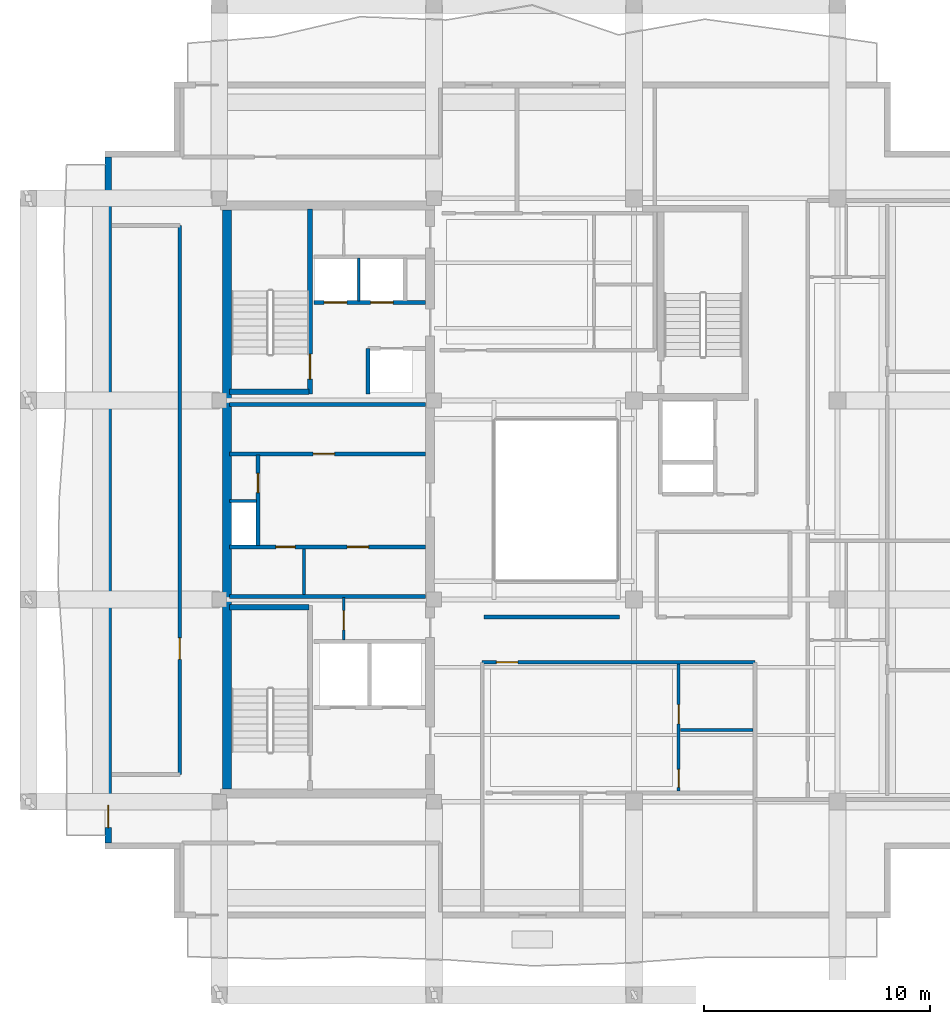
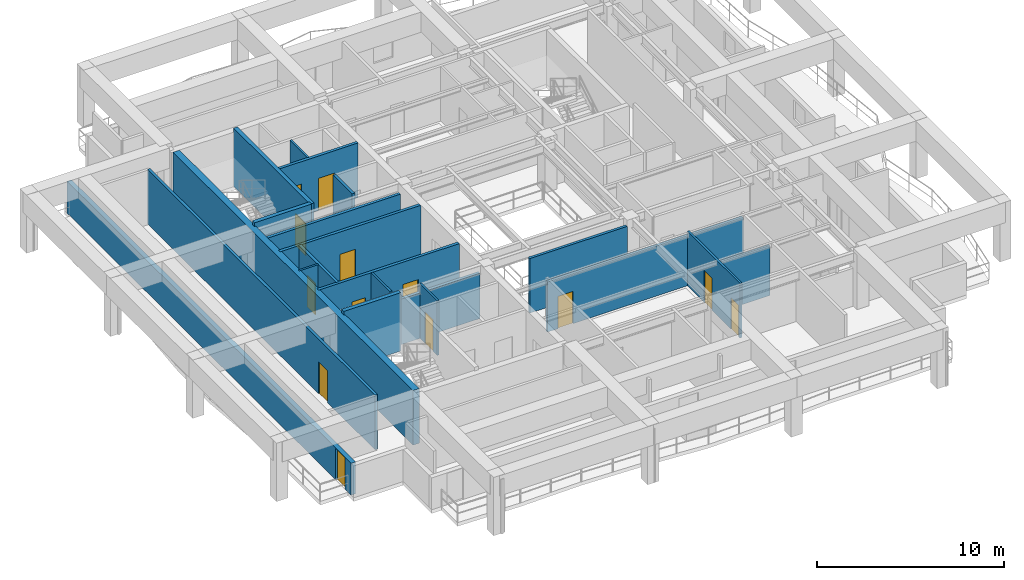
# One storey, part 3 of 10: 21 walls, 13 doors, 13 openings.
"""IFC4 building model written with IfcOpenShell, lengths in metres."""

import ifcopenshell
import ifcopenshell.guid

model = None  # the IFC model being written
_history = None  # IfcOwnerHistory: only IFC2X3 demands one
_inside = {}  # id of a spatial element -> (the spatial element, [elements in it])
_under = {}  # id of a project, library or spatial element -> (it, [spatial elements below it])
_declared = {}  # id of a project -> (the project, [libraries it declares])
_typed = {}  # id of a type object -> (the type object, [elements of that type])
_made_of = {}  # id of a material, layer set ... -> (it, [elements and type objects made of it])


def new_model(schema):
    """Start an empty IFC model of exactly this schema.

    Asked for "IFC4X3", IfcOpenShell would pick the latest addendum, in which some entities
    have other attributes; the version numbers below select the first issue.
    IFC2X3 requires an IfcOwnerHistory on every rooted entity: one is made here for all.
    """
    global model, _history
    if schema == "IFC4X3":
        model = ifcopenshell.file(schema_version=(4, 3, 0, 0))
    else:
        model = ifcopenshell.file(schema=schema)
    _inside.clear()
    _under.clear()
    _declared.clear()
    _typed.clear()
    _made_of.clear()
    _history = None
    if model.schema == "IFC2X3":
        org = make("IfcOrganization", Name="unknown")
        user = make(
            "IfcPersonAndOrganization",
            ThePerson=make("IfcPerson", FamilyName="unknown"),
            TheOrganization=org,
        )
        app = make(
            "IfcApplication",
            ApplicationDeveloper=org,
            Version="unknown",
            ApplicationFullName="unknown",
            ApplicationIdentifier="unknown",
        )
        _history = make(
            "IfcOwnerHistory",
            OwningUser=user,
            OwningApplication=app,
            ChangeAction="ADDED",
            CreationDate=0,
        )
    return model


def make(cls, **values):
    """One entity of the class cls with the attributes given. An attribute that is None is left unset."""
    return model.create_entity(
        cls, **{name: value for name, value in values.items() if value is not None}
    )


def rooted(cls, **values):
    """An entity with a GlobalId (a new one), such as an element, a storey or a relation."""
    return make(cls, GlobalId=ifcopenshell.guid.new(), OwnerHistory=_history, **values)


def si_unit(unit_type, name, prefix=None):
    """IfcSIUnit, for example si_unit("LENGTHUNIT", "METRE", prefix="MILLI")."""
    return make("IfcSIUnit", UnitType=unit_type, Prefix=prefix, Name=name)


def assignment(units):
    """IfcUnitAssignment: the units of a project."""
    return None if units is None else make("IfcUnitAssignment", Units=units)


def point(xyz):
    """IfcCartesianPoint."""
    return None if xyz is None else make("IfcCartesianPoint", Coordinates=xyz)


def direction(xyz):
    """IfcDirection."""
    return None if xyz is None else make("IfcDirection", DirectionRatios=xyz)


def frame(location, z_axis=None, x_axis=None):
    """IfcAxis2Placement3D, a coordinate frame: its origin and axes. An axis left out is left unset."""
    return make(
        "IfcAxis2Placement3D",
        Location=point(location),
        Axis=direction(z_axis),
        RefDirection=direction(x_axis),
    )


def frame_2d(location, x_axis=None):
    """IfcAxis2Placement2D, a coordinate frame in the plane: its origin and x axis."""
    return make(
        "IfcAxis2Placement2D", Location=point(location), RefDirection=direction(x_axis)
    )


def origin():
    """The frame at (0, 0, 0) with its axes left unset."""
    return frame((0.0, 0.0, 0.0))


def place(relative_to, where):
    """IfcLocalPlacement: puts the frame where relative to a parent placement (None: the world)."""
    return make(
        "IfcLocalPlacement", PlacementRelTo=relative_to, RelativePlacement=where
    )


def context(
    kind, dimensions, precision=None, world=None, true_north=None, identifier=None
):
    """IfcGeometricRepresentationContext, for example the 3D "Model" context."""
    return make(
        "IfcGeometricRepresentationContext",
        ContextIdentifier=identifier,
        ContextType=kind,
        CoordinateSpaceDimension=dimensions,
        Precision=precision,
        WorldCoordinateSystem=world,
        TrueNorth=true_north,
    )


def subcontext(parent, identifier, kind, view, scale=None):
    """IfcGeometricRepresentationSubContext, for example "Body" below "Model"."""
    return make(
        "IfcGeometricRepresentationSubContext",
        ContextIdentifier=identifier,
        ContextType=kind,
        ParentContext=parent,
        TargetScale=scale,
        TargetView=view,
    )


def project(units=None, contexts=None):
    """IfcProject with its units and contexts."""
    return rooted(
        "IfcProject",
        Name="project",
        RepresentationContexts=contexts,
        UnitsInContext=assignment(units),
    )


def spatial(cls, under=None, at=None, **own):
    """A site, building, storey or space (cls), placed at a placement, below another one or the project."""
    s = rooted(cls, ObjectPlacement=at, **own)
    if under is not None:
        _under.setdefault(under.id(), (under, []))[1].append(s)
    return s


def profile(cls, at=None, kind="AREA", **sizes):
    """A parametric profile (cls). Its sizes go by their IFC names, for example OverallWidth=200.0."""
    return make(cls, ProfileType=kind, Position=at, **sizes)


def rectangle(**sizes):
    """IfcRectangleProfileDef."""
    return profile("IfcRectangleProfileDef", **sizes)


def extrude(swept, where, along, depth):
    """IfcExtrudedAreaSolid: the profile swept, set in the frame where, extruded along a direction by depth."""
    return make(
        "IfcExtrudedAreaSolid",
        SweptArea=swept,
        Position=where,
        ExtrudedDirection=direction(along),
        Depth=depth,
    )


def shape(context_of_items, identifier, shape_type, items):
    """IfcShapeRepresentation: the items that make up one representation, for example the "Body"."""
    return make(
        "IfcShapeRepresentation",
        ContextOfItems=context_of_items,
        RepresentationIdentifier=identifier,
        RepresentationType=shape_type,
        Items=items,
    )


def material(Name=None, Category=None):
    """IfcMaterial."""
    return make("IfcMaterial", Name=Name, Category=Category)


def layer(
    of_material, thickness, ventilated=None, Name=None, Category=None, Priority=None
):
    """IfcMaterialLayer: one layer of a wall or slab, of a material (None: an air gap)."""
    return make(
        "IfcMaterialLayer",
        Material=of_material,
        LayerThickness=thickness,
        IsVentilated=ventilated,
        Name=Name,
        Category=Category,
        Priority=Priority,
    )


def layer_set(layers, Name=None):
    """IfcMaterialLayerSet."""
    return make("IfcMaterialLayerSet", MaterialLayers=layers, LayerSetName=Name)


def made_of(thing, what):
    """Note that an element or type object is made of a material, layer set ...; save() writes the relation."""
    if what is not None:
        _made_of.setdefault(what.id(), (what, []))[1].append(thing)
    return thing


def type_object(cls, material=None, **own):
    """A type object (cls), such as IfcWallType, which elements share."""
    return made_of(rooted(cls, **own), material)


def element(
    cls,
    number,
    at=None,
    inside=None,
    cuts=None,
    type_object=None,
    material=None,
    context=None,
    identifier="Body",
    shape_type=None,
    held_by="IfcProductDefinitionShape",
    body=None,
    shapes=None,
    **own,
):
    """One element of the class cls, such as IfcWall. Its Tag is "e" and its number.

    at: its placement. inside: the storey or other place that contains it. cuts: it is an
    opening in that element (IfcRelVoidsElement). A single representation is given by context,
    identifier, shape_type and body (its items); several are given by shapes. held_by: the class
    of the entity that holds the representations. save() writes the other relations.
    """
    e = rooted(cls, Tag="e%d" % number, ObjectPlacement=at, **own)
    if body is not None:
        shapes = [shape(context, identifier, shape_type, body)]
    if shapes is not None:
        e.Representation = make(held_by, Representations=shapes)
    if inside is not None:
        _inside.setdefault(inside.id(), (inside, []))[1].append(e)
    if cuts is not None:
        rooted(
            "IfcRelVoidsElement", RelatingBuildingElement=cuts, RelatedOpeningElement=e
        )
    if type_object is not None:
        _typed.setdefault(type_object.id(), (type_object, []))[1].append(e)
    return made_of(e, material)


def fill(opening, filler):
    """IfcRelFillsElement: the door or window that sits in an opening."""
    return rooted(
        "IfcRelFillsElement",
        RelatingOpeningElement=opening,
        RelatedBuildingElement=filler,
    )


def aggregate(whole, parts):
    """IfcRelAggregates: a whole, such as a stair, and the parts it consists of."""
    return rooted("IfcRelAggregates", RelatingObject=whole, RelatedObjects=parts)


def save(model, path):
    """Write the relations noted so far, then the file.

    IfcRelAggregates (storeys below a building ...), IfcRelContainedInSpatialStructure (elements
    in a storey), IfcRelDefinesByType, IfcRelAssociatesMaterial and IfcRelDeclares: one each for
    every whole, place, type object, material and project.
    """
    for whole, parts in _under.values():
        aggregate(whole, parts)
    for where, things in _inside.values():
        rooted(
            "IfcRelContainedInSpatialStructure",
            RelatedElements=things,
            RelatingStructure=where,
        )
    for kind, things in _typed.values():
        rooted("IfcRelDefinesByType", RelatedObjects=things, RelatingType=kind)
    for what, things in _made_of.values():
        rooted("IfcRelAssociatesMaterial", RelatedObjects=things, RelatingMaterial=what)
    for by, libraries in _declared.values():
        rooted("IfcRelDeclares", RelatingContext=by, RelatedDefinitions=libraries)
    model.write(path)


model = new_model("IFC4")

# Units and contexts
model_context = context("Model", 3, precision=1e-05, world=origin(), true_north=direction((0.0, 1.0)))
body_context = subcontext(model_context, "Body", "Model", "MODEL_VIEW")
ifc_project = project(units=[si_unit("LENGTHUNIT", "METRE"), si_unit("AREAUNIT", "SQUARE_METRE"), si_unit("VOLUMEUNIT", "CUBIC_METRE"), si_unit("PLANEANGLEUNIT", "RADIAN"), si_unit("MASSUNIT", "GRAM", prefix="KILO")], contexts=[model_context])

# Site, building, storey
site_placement = place(None, origin())
site = spatial("IfcSite", under=ifc_project, at=site_placement, CompositionType="ELEMENT")
building_placement = place(site_placement, origin())
building = spatial("IfcBuilding", under=site, at=building_placement, Name="Kundavana Baori Tower", CompositionType="ELEMENT")
storey_placement = place(building_placement, frame((0.0, 0.0, 323.89990234375)))
storey = spatial("IfcBuildingStorey", under=building, at=storey_placement, Name="L80", CompositionType="ELEMENT", Elevation=323.89990234375)

# Walls
ifc_material_1 = material(Name="Concrete C50/60", Category="concrete")
ifc_layer_1 = layer(ifc_material_1, 0.39990234375, Name="WL-CORE-400")
ifc_layer_set_1 = layer_set([ifc_layer_1], Name="Concrete C50/60")
wall_type_1 = type_object("IfcWallType", Name="WL-CORE-400", PredefinedType="SHEAR", material=ifc_layer_set_1)
wall_1_placement = place(storey_placement, frame((15.7900390625, 15.81005859375, 0.0), z_axis=(0.0, 0.0, 1.0), x_axis=(0.0, 1.0, 0.0)))
element("IfcWall", 1, at=wall_1_placement, inside=storey, type_object=wall_type_1, Name="L80 Offset Core West Shear Wall", PredefinedType="SHEAR", context=body_context, shape_type="SweptSolid", body=[
    extrude(rectangle(XDim=25.6298828125, YDim=0.39990234375, at=frame_2d((12.81494140625, 0.0))), origin(), (0.0, 0.0, 1.0), 3.56005859375),
])
wall_2_placement = place(storey_placement, frame((15.89990234375, 23.860107421875, 0.0), z_axis=(0.0, 0.0, 1.0), x_axis=(1.0, 0.0, 0.0)))
element("IfcWall", 2, at=wall_2_placement, inside=storey, type_object=wall_type_1, Name="WL-L80-ST1-N", PredefinedType="SHEAR", context=body_context, shape_type="SweptSolid", body=[
    extrude(rectangle(XDim=3.52001953125, YDim=0.239990234375, at=frame_2d((1.760009765625, 0.0))), origin(), (0.0, 0.0, 1.0), 3.800048828125),
])

# Wall, opening, door
wall_3_placement = place(storey_placement, frame((19.4599609375, 33.300048828125, 0.0), z_axis=(0.0, 0.0, 1.0), x_axis=(0.0, 1.0, 0.0)))
wall_3 = element("IfcWall", 3, at=wall_3_placement, inside=storey, type_object=wall_type_1, Name="WL-L80-ST2-E", PredefinedType="SHEAR", context=body_context, shape_type="SweptSolid", body=[
    extrude(rectangle(XDim=8.179931640625, YDim=0.239990234375, at=frame_2d((4.08984375, 0.0))), origin(), (0.0, 0.0, 1.0), 3.800048828125),
])
opening_1_placement = place(wall_3_placement, frame((0.64990234375, 0.0, 0.0)))
opening_1 = element("IfcOpeningElement", 4, at=opening_1_placement, cuts=wall_3, Name="Opening FD-110", PredefinedType="OPENING", context=body_context, shape_type="SweptSolid", body=[
    extrude(rectangle(XDim=1.10009765625, YDim=2.10009765625, at=frame_2d((0.550048828125, 1.050048828125))), frame((0.0, 0.1298828125, 0.0), z_axis=(0.0, -1.0, 0.0), x_axis=(1.0, 0.0, 0.0)), (0.0, 0.0, 1.0), 0.260009765625),
])
ifc_material_2 = material(Name="Galvanised Steel Fire-Rated Door Leaf", Category="steel")
door_type_1 = type_object("IfcDoorType", Name="DR-FD120-1100", OperationType="NOTDEFINED", PredefinedType="DOOR", material=ifc_material_2)
door_1_placement = place(opening_1_placement, origin())
door_1 = element("IfcDoor", 5, at=door_1_placement, inside=storey, type_object=door_type_1, Name="DR-L80-ST2", OperationType="SINGLE_SWING_RIGHT", OverallHeight=2.10009765625, OverallWidth=1.10009765625, PredefinedType="DOOR", context=body_context, shape_type="SweptSolid", body=[
    extrude(rectangle(XDim=1.10009765625, YDim=2.10009765625, at=frame_2d((0.550048828125, 1.050048828125))), frame((0.0, 0.02490234375, 0.0), z_axis=(0.0, -1.0, 0.0), x_axis=(1.0, 0.0, 0.0)), (0.0, 0.0, 1.0), 0.050048828125),
])
fill(opening_1, door_1)

# Wall
wall_4_placement = place(storey_placement, frame((15.89990234375, 33.389892578125, 0.0), z_axis=(0.0, 0.0, 1.0), x_axis=(1.0, 0.0, 0.0)))
element("IfcWall", 6, at=wall_4_placement, inside=storey, type_object=wall_type_1, Name="WL-L80-ST2-S", PredefinedType="SHEAR", context=body_context, shape_type="SweptSolid", body=[
    extrude(rectangle(XDim=3.52001953125, YDim=0.239990234375, at=frame_2d((1.760009765625, 0.0))), origin(), (0.0, 0.0, 1.0), 3.800048828125),
])

# Wall, opening, door
ifc_material_3 = material(Name="Red-Buff Dholpur Sandstone Cladding on Concrete C40/50", Category="masonry")
ifc_layer_2 = layer(ifc_material_3, 0.280029296875, Name="WL-EXT-SAND-280")
ifc_layer_set_2 = layer_set([ifc_layer_2], Name="Red-Buff Dholpur Sandstone Cladding on Concrete C40/50")
wall_type_2 = type_object("IfcWallType", Name="WL-EXT-SAND-280", PredefinedType="STANDARD", material=ifc_layer_set_2)
wall_5_placement = place(storey_placement, frame((10.5400390625, 43.77001953125, 0.0), z_axis=(0.0, 0.0, 1.0), x_axis=(0.0, -1.0, 0.0)))
wall_5 = element("IfcWall", 7, at=wall_5_placement, inside=storey, type_object=wall_type_2, Name="L80 Exterior Insulated Facade Wall 10", PredefinedType="STANDARD", context=body_context, shape_type="SweptSolid", body=[
    extrude(rectangle(XDim=30.340087890625, YDim=0.280029296875, at=frame_2d((15.169921875, 0.0))), origin(), (0.0, 0.0, 1.0), 2.080078125),
])
opening_2_placement = place(wall_5_placement, frame((28.669921875, 0.0, 0.0)))
opening_2 = element("IfcOpeningElement", 8, at=opening_2_placement, cuts=wall_5, Name="Opening BD-1", PredefinedType="OPENING", context=body_context, shape_type="SweptSolid", body=[
    extrude(rectangle(XDim=1.0, YDim=2.050048828125, at=frame_2d((0.5, 1.02490234375))), frame((0.0, 0.14990234375, 0.0), z_axis=(0.0, -1.0, 0.0), x_axis=(1.0, 0.0, 0.0)), (0.0, 0.0, 1.0), 0.300048828125),
])
ifc_material_4 = material(Name="Architectural Patinated Bronze Metalwork")
door_type_2 = type_object("IfcDoorType", Name="DR-EXT-LOG-1000", OperationType="NOTDEFINED", PredefinedType="DOOR", material=ifc_material_4)
door_2_placement = place(opening_2_placement, frame((1.0, 0.0, 0.0), z_axis=(0.0, 0.0, 1.0), x_axis=(-1.0, 0.0, 0.0)))
door_2 = element("IfcDoor", 9, at=door_2_placement, inside=storey, type_object=door_type_2, Name="L80 Loggia Balcony Access Door W", OperationType="SINGLE_SWING_RIGHT", OverallHeight=2.050048828125, OverallWidth=1.0, PredefinedType="DOOR", context=body_context, shape_type="SweptSolid", body=[
    extrude(rectangle(XDim=1.0, YDim=2.050048828125, at=frame_2d((0.5, 1.02490234375))), frame((0.0, 0.02490234375, 0.0), z_axis=(0.0, -1.0, 0.0), x_axis=(1.0, 0.0, 0.0)), (0.0, 0.0, 1.0), 0.050048828125),
])
fill(opening_2, door_2)

ifc_material_5 = material(Name="Acoustic Gypsum Plasterboard on Galvanised Steel Studs", Category="steel")
ifc_layer_3 = layer(ifc_material_5, 0.1201171875, Name="WL-PART-120")
ifc_layer_set_3 = layer_set([ifc_layer_3], Name="Acoustic Gypsum Plasterboard on Galvanised Steel Studs")
wall_type_3 = type_object("IfcWallType", Name="WL-PART-120", PredefinedType="PARTITIONING", material=ifc_layer_set_3)
wall_6_placement = place(storey_placement, frame((20.949951171875, 22.39990234375, 0.0), z_axis=(0.0, 0.0, 1.0), x_axis=(0.0, 1.0, 0.0)))
wall_6 = element("IfcWall", 10, at=wall_6_placement, inside=storey, type_object=wall_type_3, Name="WL-L80-CSMK-D2", PredefinedType="PARTITIONING", context=body_context, shape_type="SweptSolid", body=[
    extrude(rectangle(XDim=1.880126953125, YDim=0.1201171875, at=frame_2d((0.93994140625, 0.0))), origin(), (0.0, 0.0, 1.0), 3.56005859375),
])
opening_3_placement = place(wall_6_placement, frame((0.449951171875, 0.0, 0.0)))
opening_3 = element("IfcOpeningElement", 11, at=opening_3_placement, cuts=wall_6, Name="Opening FD-085", PredefinedType="OPENING", context=body_context, shape_type="SweptSolid", body=[
    extrude(rectangle(XDim=0.85009765625, YDim=2.06005859375, at=frame_2d((0.425048828125, 1.030029296875))), frame((0.0, 0.070068359375, 0.0), z_axis=(0.0, -1.0, 0.0), x_axis=(1.0, 0.0, 0.0)), (0.0, 0.0, 1.0), 0.14013671875),
])
ifc_material_6 = material(Name="Galvanised Steel Fire-Rated Door Leaf", Category="steel")
door_type_3 = type_object("IfcDoorType", Name="DR-FD60-850", OperationType="NOTDEFINED", PredefinedType="DOOR", material=ifc_material_6)
door_3_placement = place(opening_3_placement, origin())
door_3 = element("IfcDoor", 12, at=door_3_placement, inside=storey, type_object=door_type_3, Name="DR-L80-CSMK1", OperationType="SINGLE_SWING_RIGHT", OverallHeight=2.06005859375, OverallWidth=0.85009765625, PredefinedType="DOOR", context=body_context, shape_type="SweptSolid", body=[
    extrude(rectangle(XDim=0.85009765625, YDim=2.06005859375, at=frame_2d((0.425048828125, 1.030029296875))), frame((0.0, 0.02490234375, 0.0), z_axis=(0.0, -1.0, 0.0), x_axis=(1.0, 0.0, 0.0)), (0.0, 0.0, 1.0), 0.050048828125),
])
fill(opening_3, door_3)

# Walls
wall_7_placement = place(storey_placement, frame((19.199951171875, 24.419921875, 0.0), z_axis=(0.0, 0.0, 1.0), x_axis=(0.0, 1.0, 0.0)))
element("IfcWall", 13, at=wall_7_placement, inside=storey, type_object=wall_type_3, Name="WL-L80-FRLOW-DIV", PredefinedType="PARTITIONING", context=body_context, shape_type="SweptSolid", body=[
    extrude(rectangle(XDim=2.02001953125, YDim=0.1201171875, at=frame_2d((1.010009765625, 0.0))), origin(), (0.0, 0.0, 1.0), 3.56005859375),
])
wall_8_placement = place(storey_placement, frame((15.89990234375, 28.56005859375, 0.0), z_axis=(0.0, 0.0, 1.0), x_axis=(1.0, 0.0, 0.0)))
element("IfcWall", 14, at=wall_8_placement, inside=storey, type_object=wall_type_3, Name="WL-L80-RSRW-N", PredefinedType="PARTITIONING", context=body_context, shape_type="SweptSolid", body=[
    extrude(rectangle(XDim=1.2001953125, YDim=0.1201171875, at=frame_2d((0.60009765625, 0.0))), origin(), (0.0, 0.0, 1.0), 3.56005859375),
])
wall_9_placement = place(storey_placement, frame((21.6201171875, 37.39990234375, 0.0), z_axis=(0.0, 0.0, 1.0), x_axis=(0.0, 1.0, 0.0)))
element("IfcWall", 15, at=wall_9_placement, inside=storey, type_object=wall_type_3, Name="WL-L80-HR-DIV1", PredefinedType="PARTITIONING", context=body_context, shape_type="SweptSolid", body=[
    extrude(rectangle(XDim=1.900146484375, YDim=0.1201171875, at=frame_2d((0.9501953125, 0.0))), origin(), (0.0, 0.0, 1.0), 3.56005859375),
])

# Wall, opening, door
ifc_material_7 = material(Name="Fire-Rated Gypsum Drywall on Galvanised Steel Studs", Category="steel")
ifc_layer_4 = layer(ifc_material_7, 0.1650390625, Name="WL-PART-165")
ifc_layer_set_4 = layer_set([ifc_layer_4], Name="Fire-Rated Gypsum Drywall on Galvanised Steel Studs")
wall_type_4 = type_object("IfcWallType", Name="WL-PART-165", PredefinedType="PARTITIONING", material=ifc_layer_set_4)
wall_10_placement = place(storey_placement, frame((27.080078125, 21.419921875, 0.0), z_axis=(0.0, 0.0, 1.0), x_axis=(1.0, 0.0, 0.0)))
wall_10 = element("IfcWall", 16, at=wall_10_placement, inside=storey, type_object=wall_type_4, Name="WL-L80-RS", PredefinedType="PARTITIONING", context=body_context, shape_type="SweptSolid", body=[
    extrude(rectangle(XDim=12.06982421875, YDim=0.1650390625, at=frame_2d((6.034912109375, 0.0))), origin(), (0.0, 0.0, 1.0), 3.260009765625),
])
opening_4_placement = place(wall_10_placement, frame((0.6298828125, 0.0, 0.0)))
opening_4 = element("IfcOpeningElement", 17, at=opening_4_placement, cuts=wall_10, Name="Opening FD-095", PredefinedType="OPENING", context=body_context, shape_type="SweptSolid", body=[
    extrude(rectangle(XDim=0.949951171875, YDim=2.10009765625, at=frame_2d((0.47509765625, 1.050048828125))), frame((0.0, 0.092529296875, 0.0), z_axis=(0.0, -1.0, 0.0), x_axis=(1.0, 0.0, 0.0)), (0.0, 0.0, 1.0), 0.18505859375),
])
ifc_material_8 = material(Name="Engineered Teak Fire-Rated Timber Door Leaf", Category="wood")
door_type_4 = type_object("IfcDoorType", Name="DR-FD60-950", OperationType="NOTDEFINED", PredefinedType="DOOR", material=ifc_material_8)
door_4_placement = place(opening_4_placement, frame((0.949951171875, 0.0, 0.0), z_axis=(0.0, 0.0, 1.0), x_axis=(-1.0, 0.0, 0.0)))
door_4 = element("IfcDoor", 18, at=door_4_placement, inside=storey, type_object=door_type_4, Name="DR-L80-S1-ENT", OperationType="SINGLE_SWING_RIGHT", OverallHeight=2.10009765625, OverallWidth=0.949951171875, PredefinedType="DOOR", context=body_context, shape_type="SweptSolid", body=[
    extrude(rectangle(XDim=0.949951171875, YDim=2.10009765625, at=frame_2d((0.47509765625, 1.050048828125))), frame((0.0, 0.02490234375, 0.0), z_axis=(0.0, -1.0, 0.0), x_axis=(1.0, 0.0, 0.0)), (0.0, 0.0, 1.0), 0.050048828125),
])
fill(opening_4, door_4)

# Wall
wall_11_placement = place(storey_placement, frame((27.14990234375, 23.419921875, 0.0), z_axis=(0.0, 0.0, 1.0), x_axis=(1.0, 0.0, 0.0)))
element("IfcWall", 19, at=wall_11_placement, inside=storey, type_object=wall_type_4, Name="WL-L80-RST", PredefinedType="PARTITIONING", context=body_context, shape_type="SweptSolid", body=[
    extrude(rectangle(XDim=6.0, YDim=0.1650390625, at=frame_2d((3.0, 0.0))), origin(), (0.0, 0.0, 1.0), 3.56005859375),
])

# Wall, opening, door
wall_12_placement = place(storey_placement, frame((13.699951171875, 16.449951171875, 0.0), z_axis=(0.0, 0.0, 1.0), x_axis=(0.0, 1.0, 0.0)))
wall_12 = element("IfcWall", 20, at=wall_12_placement, inside=storey, type_object=wall_type_4, Name="WL-L80-RW", PredefinedType="PARTITIONING", context=body_context, shape_type="SweptSolid", body=[
    extrude(rectangle(XDim=24.300048828125, YDim=0.1650390625, at=frame_2d((12.14990234375, 0.0))), origin(), (0.0, 0.0, 1.0), 3.56005859375),
])
opening_5_placement = place(wall_12_placement, frame((5.10009765625, 0.0, 0.0)))
opening_5 = element("IfcOpeningElement", 21, at=opening_5_placement, cuts=wall_12, Name="Opening ID-095", PredefinedType="OPENING", context=body_context, shape_type="SweptSolid", body=[
    extrude(rectangle(XDim=0.949951171875, YDim=2.080078125, at=frame_2d((0.47509765625, 1.0400390625))), frame((0.0, 0.092529296875, 0.0), z_axis=(0.0, -1.0, 0.0), x_axis=(1.0, 0.0, 0.0)), (0.0, 0.0, 1.0), 0.18505859375),
])
ifc_material_9 = material(Name="Engineered Teak Solid-Core Timber Veneer", Category="wood")
door_type_5 = type_object("IfcDoorType", Name="DR-INT-950", OperationType="NOTDEFINED", PredefinedType="DOOR", material=ifc_material_9)
door_5_placement = place(opening_5_placement, origin())
door_5 = element("IfcDoor", 22, at=door_5_placement, inside=storey, type_object=door_type_5, Name="DR-L80-RLNGW", OperationType="SINGLE_SWING_LEFT", OverallHeight=2.080078125, OverallWidth=0.949951171875, PredefinedType="DOOR", context=body_context, shape_type="SweptSolid", body=[
    extrude(rectangle(XDim=0.949951171875, YDim=2.080078125, at=frame_2d((0.47509765625, 1.0400390625))), frame((0.0, 0.02490234375, 0.0), z_axis=(0.0, -1.0, 0.0), x_axis=(1.0, 0.0, 0.0)), (0.0, 0.0, 1.0), 0.050048828125),
])
fill(opening_5, door_5)

# Wall, openings, doors
ifc_material_10 = material(Name="Autoclaved Aerated Concrete Blockwork Masonry", Category="masonry")
ifc_layer_5 = layer(ifc_material_10, 0.179931640625, Name="WL-SHAFT-180")
ifc_layer_set_5 = layer_set([ifc_layer_5], Name="Autoclaved Aerated Concrete Blockwork Masonry")
wall_type_5 = type_object("IfcWallType", Name="WL-SHAFT-180", PredefinedType="SOLIDWALL", material=ifc_layer_set_5)
wall_13_placement = place(storey_placement, frame((15.89990234375, 26.52001953125, 0.0), z_axis=(0.0, 0.0, 1.0), x_axis=(1.0, 0.0, 0.0)))
wall_13 = element("IfcWall", 23, at=wall_13_placement, inside=storey, type_object=wall_type_5, Name="WL-L80-LPLOW-N", PredefinedType="SOLIDWALL", context=body_context, shape_type="SweptSolid", body=[
    extrude(rectangle(XDim=8.68017578125, YDim=0.179931640625, at=frame_2d((4.340087890625, 0.0))), origin(), (0.0, 0.0, 1.0), 3.56005859375),
])
opening_6_placement = place(wall_13_placement, frame((2.050048828125, 0.0, 0.0)))
opening_6 = element("IfcOpeningElement", 24, at=opening_6_placement, cuts=wall_13, Name="Opening FD-085", PredefinedType="OPENING", context=body_context, shape_type="SweptSolid", body=[
    extrude(rectangle(XDim=0.85009765625, YDim=2.06005859375, at=frame_2d((0.425048828125, 1.030029296875))), frame((0.0, 0.10009765625, 0.0), z_axis=(0.0, -1.0, 0.0), x_axis=(1.0, 0.0, 0.0)), (0.0, 0.0, 1.0), 0.199951171875),
])
opening_7_placement = place(wall_13_placement, frame((5.199951171875, 0.0, 0.0)))
opening_7 = element("IfcOpeningElement", 25, at=opening_7_placement, cuts=wall_13, Name="Opening FD-095", PredefinedType="OPENING", context=body_context, shape_type="SweptSolid", body=[
    extrude(rectangle(XDim=0.949951171875, YDim=2.10009765625, at=frame_2d((0.47509765625, 1.050048828125))), frame((0.0, 0.10009765625, 0.0), z_axis=(0.0, -1.0, 0.0), x_axis=(1.0, 0.0, 0.0)), (0.0, 0.0, 1.0), 0.199951171875),
])
door_6_placement = place(opening_6_placement, origin())
door_6 = element("IfcDoor", 26, at=door_6_placement, inside=storey, type_object=door_type_3, Name="DR-L80-FRLOW1", OperationType="SINGLE_SWING_LEFT", OverallHeight=2.06005859375, OverallWidth=0.85009765625, PredefinedType="DOOR", context=body_context, shape_type="SweptSolid", body=[
    extrude(rectangle(XDim=0.85009765625, YDim=2.06005859375, at=frame_2d((0.425048828125, 1.030029296875))), frame((0.0, 0.02490234375, 0.0), z_axis=(0.0, -1.0, 0.0), x_axis=(1.0, 0.0, 0.0)), (0.0, 0.0, 1.0), 0.050048828125),
])
fill(opening_6, door_6)
door_7_placement = place(opening_7_placement, origin())
door_7 = element("IfcDoor", 27, at=door_7_placement, inside=storey, type_object=door_type_4, Name="DR-L80-FRLOW2", OperationType="SINGLE_SWING_RIGHT", OverallHeight=2.10009765625, OverallWidth=0.949951171875, PredefinedType="DOOR", context=body_context, shape_type="SweptSolid", body=[
    extrude(rectangle(XDim=0.949951171875, YDim=2.10009765625, at=frame_2d((0.47509765625, 1.050048828125))), frame((0.0, 0.02490234375, 0.0), z_axis=(0.0, -1.0, 0.0), x_axis=(1.0, 0.0, 0.0)), (0.0, 0.0, 1.0), 0.050048828125),
])
fill(opening_7, door_7)

# Wall
wall_14_placement = place(storey_placement, frame((15.89990234375, 24.330078125, 0.0), z_axis=(0.0, 0.0, 1.0), x_axis=(1.0, 0.0, 0.0)))
element("IfcWall", 28, at=wall_14_placement, inside=storey, type_object=wall_type_5, Name="WL-L80-LPLOW-S", PredefinedType="SOLIDWALL", context=body_context, shape_type="SweptSolid", body=[
    extrude(rectangle(XDim=8.68017578125, YDim=0.179931640625, at=frame_2d((4.340087890625, 0.0))), origin(), (0.0, 0.0, 1.0), 2.960205078125),
])

# Wall, opening, door
wall_15_placement = place(storey_placement, frame((17.159912109375, 26.580078125, 0.0), z_axis=(0.0, 0.0, 1.0), x_axis=(0.0, 1.0, 0.0)))
wall_15 = element("IfcWall", 29, at=wall_15_placement, inside=storey, type_object=wall_type_5, Name="WL-L80-RSRW-E", PredefinedType="SOLIDWALL", context=body_context, shape_type="SweptSolid", body=[
    extrude(rectangle(XDim=4.02001953125, YDim=0.179931640625, at=frame_2d((2.010009765625, 0.0))), origin(), (0.0, 0.0, 1.0), 3.56005859375),
])
opening_8_placement = place(wall_15_placement, frame((2.35009765625, 0.0, 0.0)))
opening_8 = element("IfcOpeningElement", 30, at=opening_8_placement, cuts=wall_15, Name="Opening FD-085", PredefinedType="OPENING", context=body_context, shape_type="SweptSolid", body=[
    extrude(rectangle(XDim=0.85009765625, YDim=2.06005859375, at=frame_2d((0.425048828125, 1.030029296875))), frame((0.0, 0.10009765625, 0.0), z_axis=(0.0, -1.0, 0.0), x_axis=(1.0, 0.0, 0.0)), (0.0, 0.0, 1.0), 0.199951171875),
])
door_8_placement = place(opening_8_placement, origin())
door_8 = element("IfcDoor", 31, at=door_8_placement, inside=storey, type_object=door_type_3, Name="DR-L80-CLN", OperationType="SINGLE_SWING_RIGHT", OverallHeight=2.06005859375, OverallWidth=0.85009765625, PredefinedType="DOOR", context=body_context, shape_type="SweptSolid", body=[
    extrude(rectangle(XDim=0.85009765625, YDim=2.06005859375, at=frame_2d((0.425048828125, 1.030029296875))), frame((0.0, 0.02490234375, 0.0), z_axis=(0.0, -1.0, 0.0), x_axis=(1.0, 0.0, 0.0)), (0.0, 0.0, 1.0), 0.050048828125),
])
fill(opening_8, door_8)

wall_16_placement = place(storey_placement, frame((15.89990234375, 30.639892578125, 0.0), z_axis=(0.0, 0.0, 1.0), x_axis=(1.0, 0.0, 0.0)))
wall_16 = element("IfcWall", 32, at=wall_16_placement, inside=storey, type_object=wall_type_5, Name="WL-L80-LPMID-S", PredefinedType="SOLIDWALL", context=body_context, shape_type="SweptSolid", body=[
    extrude(rectangle(XDim=8.68017578125, YDim=0.179931640625, at=frame_2d((4.340087890625, 0.0))), origin(), (0.0, 0.0, 1.0), 3.56005859375),
])
opening_9_placement = place(wall_16_placement, frame((3.699951171875, 0.0, 0.0)))
opening_9 = element("IfcOpeningElement", 33, at=opening_9_placement, cuts=wall_16, Name="Opening FD-095", PredefinedType="OPENING", context=body_context, shape_type="SweptSolid", body=[
    extrude(rectangle(XDim=0.949951171875, YDim=2.10009765625, at=frame_2d((0.47509765625, 1.050048828125))), frame((0.0, 0.10009765625, 0.0), z_axis=(0.0, -1.0, 0.0), x_axis=(1.0, 0.0, 0.0)), (0.0, 0.0, 1.0), 0.199951171875),
])
door_9_placement = place(opening_9_placement, frame((0.949951171875, 0.0, 0.0), z_axis=(0.0, 0.0, 1.0), x_axis=(-1.0, 0.0, 0.0)))
door_9 = element("IfcDoor", 34, at=door_9_placement, inside=storey, type_object=door_type_4, Name="DR-L80-FRMID1", OperationType="SINGLE_SWING_RIGHT", OverallHeight=2.10009765625, OverallWidth=0.949951171875, PredefinedType="DOOR", context=body_context, shape_type="SweptSolid", body=[
    extrude(rectangle(XDim=0.949951171875, YDim=2.10009765625, at=frame_2d((0.47509765625, 1.050048828125))), frame((0.0, 0.02490234375, 0.0), z_axis=(0.0, -1.0, 0.0), x_axis=(1.0, 0.0, 0.0)), (0.0, 0.0, 1.0), 0.050048828125),
])
fill(opening_9, door_9)

# Walls
wall_17_placement = place(storey_placement, frame((15.89990234375, 32.820068359375, 0.0), z_axis=(0.0, 0.0, 1.0), x_axis=(1.0, 0.0, 0.0)))
element("IfcWall", 35, at=wall_17_placement, inside=storey, type_object=wall_type_5, Name="WL-L80-LPMID-N", PredefinedType="SOLIDWALL", context=body_context, shape_type="SweptSolid", body=[
    extrude(rectangle(XDim=8.68017578125, YDim=0.179931640625, at=frame_2d((4.340087890625, 0.0))), origin(), (0.0, 0.0, 1.0), 2.960205078125),
])
wall_18_placement = place(storey_placement, frame((22.02001953125, 33.300048828125, 0.0), z_axis=(0.0, 0.0, 1.0), x_axis=(0.0, 1.0, 0.0)))
element("IfcWall", 36, at=wall_18_placement, inside=storey, type_object=wall_type_5, Name="WL-L80-LP11-W", PredefinedType="SOLIDWALL", context=body_context, shape_type="SweptSolid", body=[
    extrude(rectangle(XDim=2.010009765625, YDim=0.179931640625, at=frame_2d((1.0048828125, 0.0))), origin(), (0.0, 0.0, 1.0), 3.56005859375),
])

# Wall, openings, doors
wall_19_placement = place(storey_placement, frame((19.639892578125, 37.340087890625, 0.0), z_axis=(0.0, 0.0, 1.0), x_axis=(1.0, 0.0, 0.0)))
wall_19 = element("IfcWall", 37, at=wall_19_placement, inside=storey, type_object=wall_type_5, Name="WL-L80-HRLOB-N", PredefinedType="SOLIDWALL", context=body_context, shape_type="SweptSolid", body=[
    extrude(rectangle(XDim=4.940185546875, YDim=0.179931640625, at=frame_2d((2.47021484375, 0.0))), origin(), (0.0, 0.0, 1.0), 3.56005859375),
])
opening_10_placement = place(wall_19_placement, frame((0.449951171875, 0.0, 0.0)))
opening_10 = element("IfcOpeningElement", 38, at=opening_10_placement, cuts=wall_19, Name="Opening LD-100", PredefinedType="OPENING", context=body_context, shape_type="SweptSolid", body=[
    extrude(rectangle(XDim=1.0, YDim=2.10009765625, at=frame_2d((0.5, 1.050048828125))), frame((0.0, 0.10009765625, 0.0), z_axis=(0.0, -1.0, 0.0), x_axis=(1.0, 0.0, 0.0)), (0.0, 0.0, 1.0), 0.199951171875),
])
opening_11_placement = place(wall_19_placement, frame((2.5, 0.0, 0.0)))
opening_11 = element("IfcOpeningElement", 39, at=opening_11_placement, cuts=wall_19, Name="Opening LD-100", PredefinedType="OPENING", context=body_context, shape_type="SweptSolid", body=[
    extrude(rectangle(XDim=1.0, YDim=2.10009765625, at=frame_2d((0.5, 1.050048828125))), frame((0.0, 0.10009765625, 0.0), z_axis=(0.0, -1.0, 0.0), x_axis=(1.0, 0.0, 0.0)), (0.0, 0.0, 1.0), 0.199951171875),
])
ifc_material_11 = material(Name="Galvanised Steel Fire-Rated Door Leaf", Category="steel")
door_type_6 = type_object("IfcDoorType", Name="DR-SLIDE-LD1000", OperationType="NOTDEFINED", PredefinedType="DOOR", material=ifc_material_11)
door_10_placement = place(opening_10_placement, frame((1.0, 0.0, 0.0), z_axis=(0.0, 0.0, 1.0), x_axis=(-1.0, 0.0, 0.0)))
door_10 = element("IfcDoor", 40, at=door_10_placement, inside=storey, type_object=door_type_6, Name="DR-L80-LD-LP09", OperationType="DOUBLE_DOOR_SLIDING", OverallHeight=2.10009765625, OverallWidth=1.0, PredefinedType="DOOR", context=body_context, shape_type="SweptSolid", body=[
    extrude(rectangle(XDim=1.0, YDim=2.10009765625, at=frame_2d((0.5, 1.050048828125))), frame((0.0, 0.02490234375, 0.0), z_axis=(0.0, -1.0, 0.0), x_axis=(1.0, 0.0, 0.0)), (0.0, 0.0, 1.0), 0.050048828125),
])
fill(opening_10, door_10)
door_11_placement = place(opening_11_placement, frame((1.0, 0.0, 0.0), z_axis=(0.0, 0.0, 1.0), x_axis=(-1.0, 0.0, 0.0)))
door_11 = element("IfcDoor", 41, at=door_11_placement, inside=storey, type_object=door_type_6, Name="DR-L80-LD-LP10", OperationType="DOUBLE_DOOR_SLIDING", OverallHeight=2.10009765625, OverallWidth=1.0, PredefinedType="DOOR", context=body_context, shape_type="SweptSolid", body=[
    extrude(rectangle(XDim=1.0, YDim=2.10009765625, at=frame_2d((0.5, 1.050048828125))), frame((0.0, 0.02490234375, 0.0), z_axis=(0.0, -1.0, 0.0), x_axis=(1.0, 0.0, 0.0)), (0.0, 0.0, 1.0), 0.050048828125),
])
fill(opening_11, door_11)

ifc_material_12 = material(Name="Autoclaved Aerated Concrete Blockwork Masonry", Category="masonry")
ifc_layer_6 = layer(ifc_material_12, 0.125, Name="WL-WET-120")
ifc_layer_set_6 = layer_set([ifc_layer_6], Name="Autoclaved Aerated Concrete Blockwork Masonry")
wall_type_6 = type_object("IfcWallType", Name="WL-WET-120", PredefinedType="PLUMBINGWALL", material=ifc_layer_set_6)
wall_20_placement = place(storey_placement, frame((35.77001953125, 15.720947265625, 0.0), z_axis=(0.0, 0.0, 1.0), x_axis=(0.0, 1.0, 0.0)))
wall_20 = element("IfcWall", 42, at=wall_20_placement, inside=storey, type_object=wall_type_6, Name="WL-L80-S1-KT", PredefinedType="PLUMBINGWALL", context=body_context, shape_type="SweptSolid", body=[
    extrude(rectangle(XDim=5.619140625, YDim=0.125, at=frame_2d((2.8095703125, 0.0))), origin(), (0.0, 0.0, 1.0), 3.56005859375),
])
opening_12_placement = place(wall_20_placement, frame((0.159912109375, 0.0, 0.0)))
opening_12 = element("IfcOpeningElement", 43, at=opening_12_placement, cuts=wall_20, Name="Opening WD-080", PredefinedType="OPENING", context=body_context, shape_type="SweptSolid", body=[
    extrude(rectangle(XDim=0.800048828125, YDim=2.050048828125, at=frame_2d((0.39990234375, 1.02490234375))), frame((0.0, 0.072509765625, 0.0), z_axis=(0.0, -1.0, 0.0), x_axis=(1.0, 0.0, 0.0)), (0.0, 0.0, 1.0), 0.14501953125),
])
opening_13_placement = place(wall_20_placement, frame((2.97705078125, 0.0, 0.0)))
opening_13 = element("IfcOpeningElement", 44, at=opening_13_placement, cuts=wall_20, Name="Opening ID-085", PredefinedType="OPENING", context=body_context, shape_type="SweptSolid", body=[
    extrude(rectangle(XDim=0.85009765625, YDim=2.080078125, at=frame_2d((0.425048828125, 1.0400390625))), frame((0.0, 0.072509765625, 0.0), z_axis=(0.0, -1.0, 0.0), x_axis=(1.0, 0.0, 0.0)), (0.0, 0.0, 1.0), 0.14501953125),
])
ifc_material_13 = material(Name="Engineered Teak Solid-Core Timber Veneer", Category="wood")
door_type_7 = type_object("IfcDoorType", Name="DR-INT-850", OperationType="NOTDEFINED", PredefinedType="DOOR", material=ifc_material_13)
door_12_placement = place(opening_13_placement, origin())
door_12 = element("IfcDoor", 45, at=door_12_placement, inside=storey, type_object=door_type_7, Name="DR-L80-S1-KT", OperationType="SINGLE_SWING_RIGHT", OverallHeight=2.080078125, OverallWidth=0.85009765625, PredefinedType="DOOR", context=body_context, shape_type="SweptSolid", body=[
    extrude(rectangle(XDim=0.85009765625, YDim=2.080078125, at=frame_2d((0.425048828125, 1.0400390625))), frame((0.0, 0.02490234375, 0.0), z_axis=(0.0, -1.0, 0.0), x_axis=(1.0, 0.0, 0.0)), (0.0, 0.0, 1.0), 0.050048828125),
])
fill(opening_13, door_12)
ifc_material_14 = material(Name="Engineered Teak Solid-Core Timber Veneer", Category="wood")
door_type_8 = type_object("IfcDoorType", Name="DR-WET-800", OperationType="NOTDEFINED", PredefinedType="DOOR", material=ifc_material_14)
door_13_placement = place(opening_12_placement, origin())
door_13 = element("IfcDoor", 46, at=door_13_placement, inside=storey, type_object=door_type_8, Name="DR-L80-S1-BT", OperationType="SINGLE_SWING_LEFT", OverallHeight=2.050048828125, OverallWidth=0.800048828125, PredefinedType="DOOR", context=body_context, shape_type="SweptSolid", body=[
    extrude(rectangle(XDim=0.800048828125, YDim=2.050048828125, at=frame_2d((0.39990234375, 1.02490234375))), frame((0.0, 0.02490234375, 0.0), z_axis=(0.0, -1.0, 0.0), x_axis=(1.0, 0.0, 0.0)), (0.0, 0.0, 1.0), 0.050048828125),
])
fill(opening_12, door_13)

# Wall
wall_21_placement = place(storey_placement, frame((35.85009765625, 18.41796875, 0.0), z_axis=(0.0, 0.0, 1.0), x_axis=(1.0, 0.0, 0.0)))
element("IfcWall", 47, at=wall_21_placement, inside=storey, type_object=wall_type_6, Name="WL-L80-S1-BT", PredefinedType="PLUMBINGWALL", context=body_context, shape_type="SweptSolid", body=[
    extrude(rectangle(XDim=3.219970703125, YDim=0.125, at=frame_2d((1.60986328125, 0.0))), origin(), (0.0, 0.0, 1.0), 3.260009765625),
])

save(model, "model.ifc")
